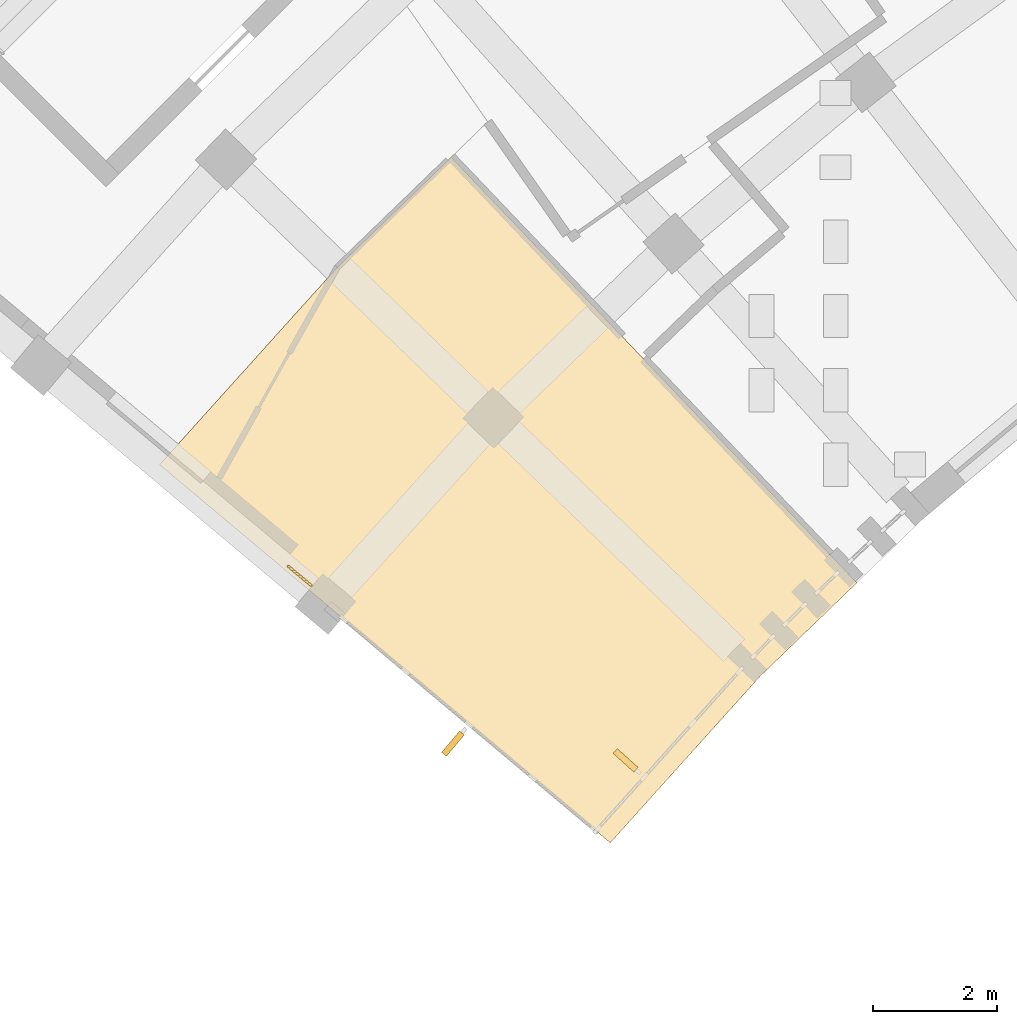
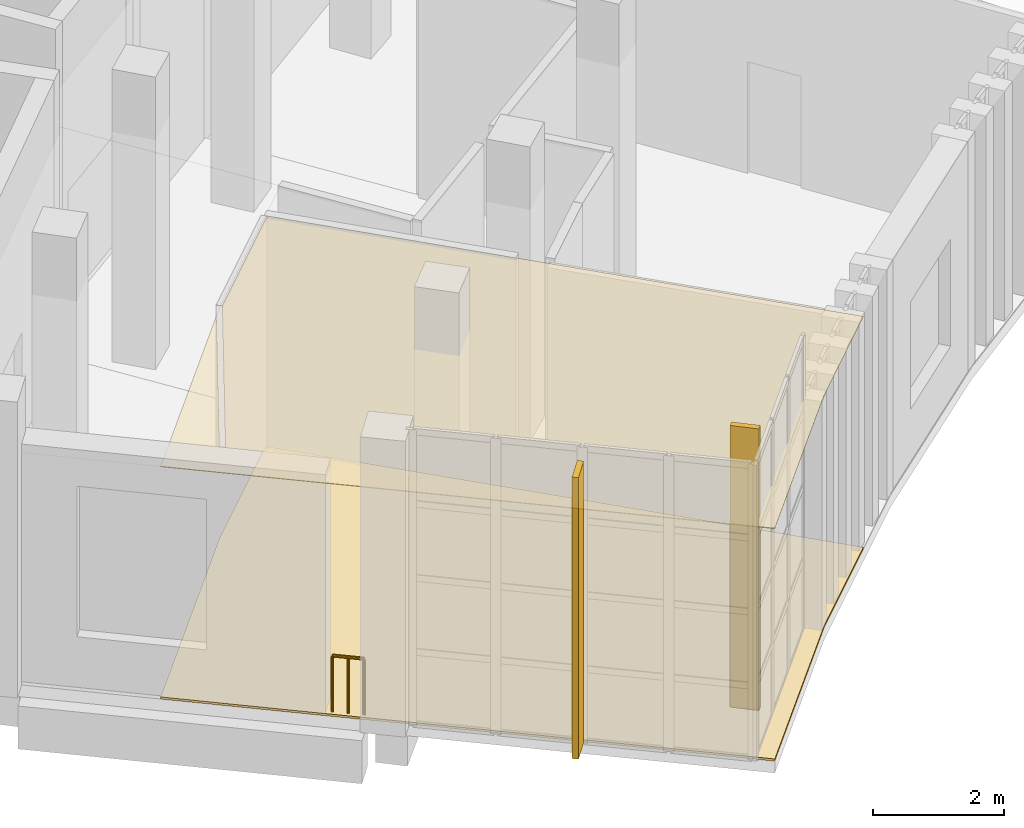
# One storey, part 77 of 112: 2 coverings, 2 shading devices, 1 railing.
"""IFC4 building model written with IfcOpenShell, lengths in metres."""

from ifc_helpers import new_model, si_unit, direction, frame, origin, origin_2d, place, context, subcontext, project, spatial, polyline, rectangle, circle, outline, extrude, material, layer, layer_set, type_object, element, save


model = new_model("IFC4")

# Units and contexts
model_context = context("Model", 3, precision=1e-05, world=origin(), true_north=direction((0.0, 1.0)))
body_context = subcontext(model_context, "Body", "Model", "MODEL_VIEW")
ifc_project = project(units=[si_unit("LENGTHUNIT", "METRE"), si_unit("AREAUNIT", "SQUARE_METRE"), si_unit("VOLUMEUNIT", "CUBIC_METRE"), si_unit("PLANEANGLEUNIT", "RADIAN"), si_unit("MASSUNIT", "GRAM", prefix="KILO")], contexts=[model_context])

# Site, building, storey
site_placement = place(None, origin())
site = spatial("IfcSite", under=ifc_project, at=site_placement, CompositionType="ELEMENT")
building_placement = place(site_placement, origin())
building = spatial("IfcBuilding", under=site, at=building_placement, Name="Lunette Opera House", CompositionType="ELEMENT")
storey_placement = place(building_placement, frame((0.0, 0.0, 6.0)))
storey = spatial("IfcBuildingStorey", under=building, at=storey_placement, Name="L01", CompositionType="ELEMENT", Elevation=6.0)

# Railing
ifc_material_1 = material(Name="Steel S355", Category="steel")
railing_type = type_object("IfcRailingType", Name="DECK GUARD 1100", PredefinedType="GUARDRAIL", material=ifc_material_1)
railing_placement = place(storey_placement, frame((50.964111328125, 37.89404296875, 0.0)))
element("IfcRailing", 1, at=railing_placement, inside=storey, type_object=railing_type, Name="Deck guard 009", PredefinedType="GUARDRAIL", context=body_context, shape_type="SweptSolid", body=[
    extrude(circle(Radius=0.02392578125, at=origin_2d()), frame((0.0, 0.0, 1.076171875), z_axis=(0.765606918818, -0.643308670747, 0.0), x_axis=(0.643308670747, 0.765606918818, 0.0)), (0.0, 0.0, 1.0), 0.24560546875),
    extrude(circle(Radius=0.02392578125, at=origin_2d()), frame((0.18798828125, -0.157958984375, 1.076171875), z_axis=(0.767567213213, -0.64096846506, 0.0), x_axis=(0.64096846506, 0.767567213213, 0.0)), (0.0, 0.0, 1.0), 0.244873046875),
    extrude(circle(Radius=0.02099609375, at=origin_2d()), origin(), (0.0, 0.0, 1.0), 1.052001953125),
    extrude(circle(Radius=0.02099609375, at=origin_2d()), frame((0.18798828125, -0.157958984375, 0.0)), (0.0, 0.0, 1.0), 1.052001953125),
    extrude(circle(Radius=0.02099609375, at=origin_2d()), frame((0.3759765625, -0.31494140625, 0.0)), (0.0, 0.0, 1.0), 1.052001953125),
])

# Shading devices
ifc_material_2 = material(Name="Powder-coated aluminium", Category="aluminium")
shading_device_type = type_object("IfcShadingDeviceType", Name="SOLAR FIN 100 X 450", PredefinedType="USERDEFINED", material=ifc_material_2)
for number, where, z_axis, x_axis, name in (
    (2, (56.4140625, 34.757080078125, 0.1142578125), (0.0, 0.0, 1.0), (-0.74421712619, 0.667937773363, 0.0), "Solar fin FC-X2163 2"),
    (3, (53.626953125, 35.027099609375, 0.1142578125), (0.0, 0.0, 1.0), (-0.642827718799, -0.766010785788, 0.0), "Solar fin FC-X2164 2"),
):
    element("IfcShadingDevice", number, at=place(storey_placement, frame(where, z_axis=z_axis, x_axis=x_axis)), inside=storey, type_object=shading_device_type, Name=name, ObjectType="SOLAR FIN", PredefinedType="USERDEFINED", context=body_context, shape_type="SweptSolid", body=[
        extrude(rectangle(XDim=0.449951171875, YDim=0.10009765625, at=origin_2d()), origin(), (0.0, 0.0, 1.0), 5.235107421875),
    ])

# Coverings
ifc_material_3 = material(Name="Mineral fibre board")
ifc_layer_1 = layer(ifc_material_3, 0.014892578125)
ifc_layer_set_1 = layer_set([ifc_layer_1], Name="Mineral fibre board")
covering_type_1 = type_object("IfcCoveringType", Name="SUSPENDED ACOUSTIC CEILING 15", PredefinedType="CEILING", material=ifc_layer_set_1)
covering_1_placement = place(storey_placement, frame((0.0, 0.0, 4.31494140625)))
element("IfcCovering", 4, at=covering_1_placement, inside=storey, type_object=covering_type_1, Name="Ceiling Press Room", PredefinedType="CEILING", context=body_context, shape_type="SweptSolid", body=[
    extrude(outline(polyline([(57.85498046875, 35.302001953125), (56.166015625, 33.425048828125), (52.8359375, 36.218994140625), (48.887939453125, 39.531005859375), (51.760986328125, 42.720947265625), (53.59912109375, 44.4970703125), (60.14892578125, 37.6240234375), (58.593994140625, 36.1220703125), (57.85498046875, 35.302001953125)])), origin(), (0.0, 0.0, 1.0), 0.01513671875),
])
ifc_material_4 = material(Name="Timber", Category="wood")
ifc_layer_2 = layer(ifc_material_4, 0.0400390625)
ifc_layer_set_2 = layer_set([ifc_layer_2], Name="Timber")
covering_type_2 = type_object("IfcCoveringType", Name="TIMBER FLOOR FINISH 40", PredefinedType="FLOORING", material=ifc_layer_set_2)
covering_2_placement = place(storey_placement, origin())
element("IfcCovering", 5, at=covering_2_placement, inside=storey, type_object=covering_type_2, Name="Floor finish Press Room", PredefinedType="FLOORING", context=body_context, shape_type="SweptSolid", body=[
    extrude(outline(polyline([(57.85498046875, 35.302001953125), (56.166015625, 33.425048828125), (52.8359375, 36.218994140625), (48.887939453125, 39.531005859375), (51.760986328125, 42.720947265625), (53.59912109375, 44.4970703125), (60.14892578125, 37.6240234375), (58.593994140625, 36.1220703125), (57.85498046875, 35.302001953125)])), origin(), (0.0, 0.0, 1.0), 0.0400390625),
])

save(model, "model.ifc")
